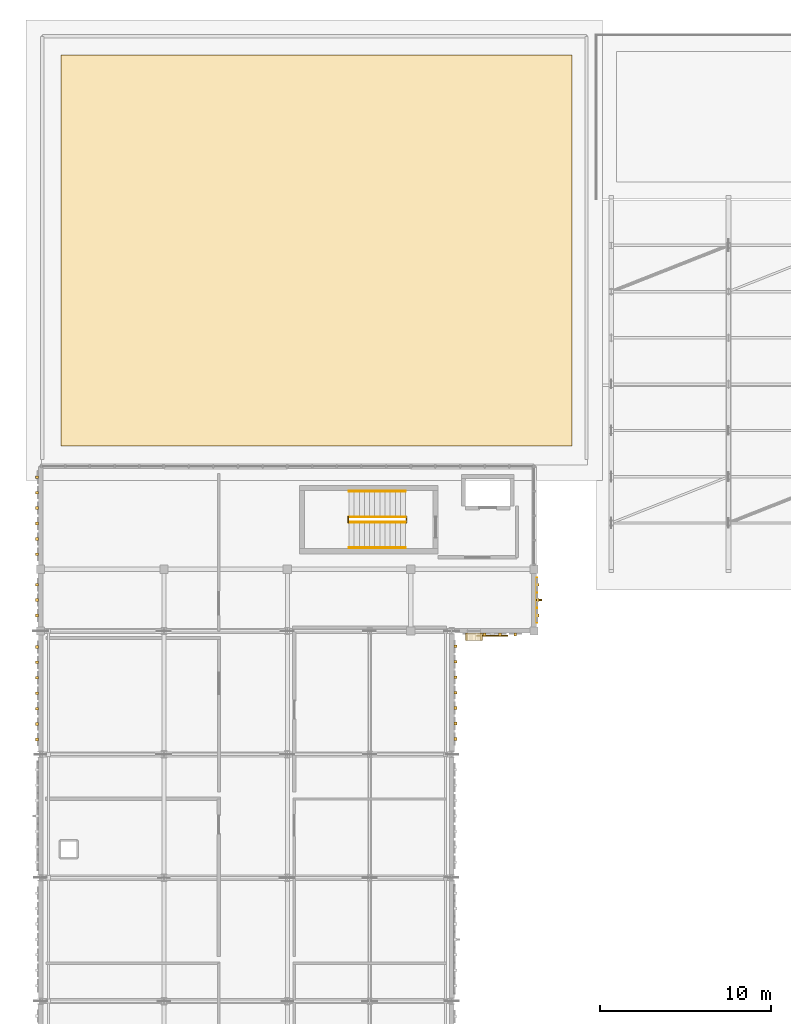
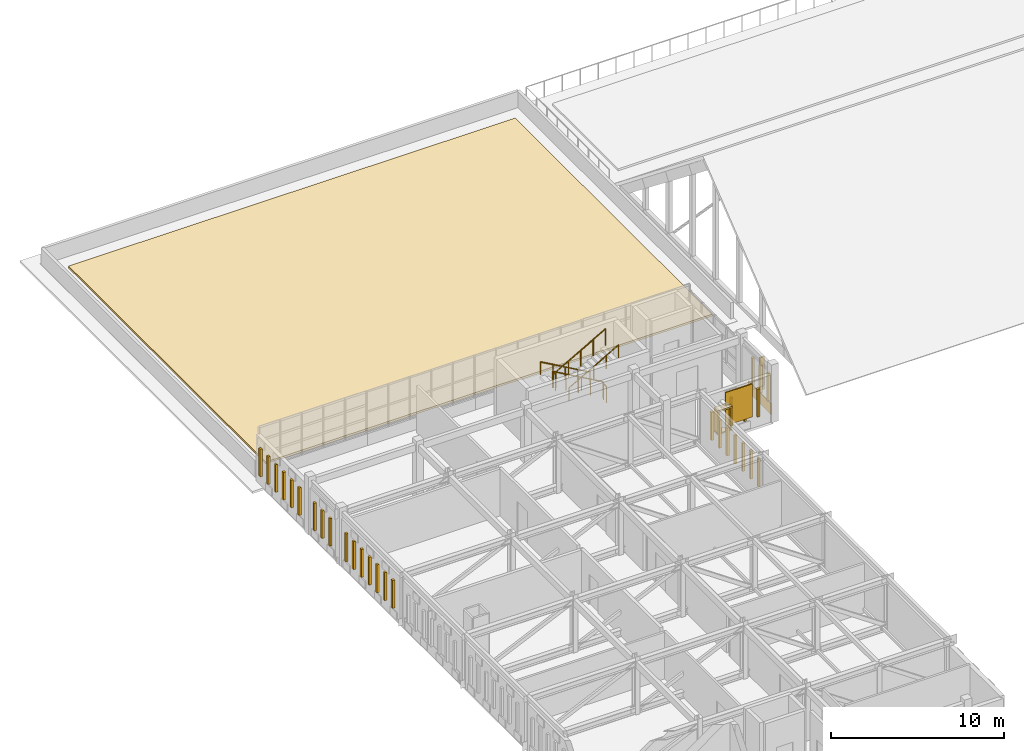
# One storey, part 67 of 79: 35 coverings, 6 railings, 2 shading devices.
"""IFC4 building model written with IfcOpenShell, lengths in metres."""

from ifc_helpers import new_model, si_unit, direction, frame, origin, origin_2d, place, context, subcontext, project, spatial, polyline, rectangle, circle, outline, extrude, material, layer, layer_set, type_object, element, save


model = new_model("IFC4")

# Units and contexts
model_context = context("Model", 3, precision=1e-05, world=origin(), true_north=direction((0.0, 1.0)))
body_context = subcontext(model_context, "Body", "Model", "MODEL_VIEW")
ifc_project = project(units=[si_unit("LENGTHUNIT", "METRE"), si_unit("AREAUNIT", "SQUARE_METRE"), si_unit("VOLUMEUNIT", "CUBIC_METRE"), si_unit("PLANEANGLEUNIT", "RADIAN"), si_unit("MASSUNIT", "GRAM", prefix="KILO")], contexts=[model_context])

# Site, building, storey
site_placement = place(None, origin())
site = spatial("IfcSite", under=ifc_project, at=site_placement, CompositionType="ELEMENT")
building_placement = place(site_placement, origin())
building = spatial("IfcBuilding", under=site, at=building_placement, Name="Nzembalo Square Collegiate School", CompositionType="ELEMENT")
storey_placement = place(building_placement, frame((0.0, 0.0, 9.52001953125)))
storey = spatial("IfcBuildingStorey", under=building, at=storey_placement, Name="L02", CompositionType="ELEMENT", Elevation=9.52001953125)

# Coverings
ifc_material_1 = material(Name="Glazed cobalt ceramic patterned tile")
ifc_layer_1 = layer(ifc_material_1, 0.074951171875, Name="Glazed cobalt ceramic patterned tile")
ifc_layer_set_1 = layer_set([ifc_layer_1], Name="Glazed cobalt ceramic patterned tile")
covering_type_1 = type_object("IfcCoveringType", Name="CL01", PredefinedType="CLADDING", material=ifc_layer_set_1)
covering_1_placement = place(storey_placement, frame((37.357421875, 81.0, 0.02001953125), z_axis=(0.0, 0.0, 1.0), x_axis=(1.0, 0.0, 0.0)))
element("IfcCovering", 1, at=covering_1_placement, inside=storey, type_object=covering_type_1, Name="Faience spandrel cladding CL01-0188", PredefinedType="CLADDING", context=body_context, shape_type="SweptSolid", body=[
    extrude(rectangle(XDim=0.034912109375, YDim=2.615966796875, at=origin_2d()), origin(), (0.0, 0.0, 1.0), 0.800048828125),
])
ifc_material_2 = material(Name="Glazed ochre ceramic lancet rib")
ifc_layer_2 = layer(ifc_material_2, 0.159912109375, Name="Glazed ochre ceramic lancet rib")
ifc_layer_set_2 = layer_set([ifc_layer_2], Name="Glazed ochre ceramic lancet rib")
covering_type_2 = type_object("IfcCoveringType", Name="CL02", PredefinedType="CLADDING", material=ifc_layer_set_2)
for number, where, z_axis, x_axis, name in (
    (2, (8.197509765625, 72.867431640625, 0.760009765625), (0.0, 0.0, 1.0), (1.0, 0.0, 0.0), "Gothic ceramic rib CL02-Y0185-0"),
    (3, (8.197509765625, 73.767578125, 0.760009765625), (0.0, 0.0, 1.0), (1.0, 0.0, 0.0), "Gothic ceramic rib CL02-Y0185-1"),
    (4, (8.197509765625, 74.66748046875, 0.760009765625), (0.0, 0.0, 1.0), (1.0, 0.0, 0.0), "Gothic ceramic rib CL02-Y0185-2"),
    (5, (8.197509765625, 75.5673828125, 0.760009765625), (0.0, 0.0, 1.0), (1.0, 0.0, 0.0), "Gothic ceramic rib CL02-Y0185-3"),
    (6, (8.197509765625, 76.467529296875, 0.760009765625), (0.0, 0.0, 1.0), (1.0, 0.0, 0.0), "Gothic ceramic rib CL02-Y0185-4"),
    (7, (8.197509765625, 77.367431640625, 0.760009765625), (0.0, 0.0, 1.0), (1.0, 0.0, 0.0), "Gothic ceramic rib CL02-Y0185-5"),
    (8, (8.197509765625, 78.267578125, 0.760009765625), (0.0, 0.0, 1.0), (1.0, 0.0, 0.0), "Gothic ceramic rib CL02-Y0185-6"),
):
    element("IfcCovering", number, at=place(storey_placement, frame(where, z_axis=z_axis, x_axis=x_axis)), inside=storey, type_object=covering_type_2, Name=name, PredefinedType="CLADDING", context=body_context, shape_type="SweptSolid", body=[
        extrude(rectangle(XDim=0.159912109375, YDim=0.159912109375, at=origin_2d()), origin(), (0.0, 0.0, 1.0), 1.97900390625),
    ])
for number, where, z_axis, x_axis, name in (
    (9, (8.1875, 80.10009765625, 0.759765625), (0.0, 0.0, 1.0), (1.0, 0.0, 0.0), "Gothic ceramic rib CL02-Y0186-0"),
    (10, (8.1875, 81.0, 0.759765625), (0.0, 0.0, 1.0), (1.0, 0.0, 0.0), "Gothic ceramic rib CL02-Y0186-1"),
    (11, (8.1875, 81.89990234375, 0.759765625), (0.0, 0.0, 1.0), (1.0, 0.0, 0.0), "Gothic ceramic rib CL02-Y0186-2"),
    (12, (8.197509765625, 83.6708984375, 0.759765625), (0.0, 0.0, 1.0), (1.0, 0.0, 0.0), "Gothic ceramic rib CL02-Y0187-0"),
    (13, (8.197509765625, 84.571044921875, 0.759765625), (0.0, 0.0, 1.0), (1.0, 0.0, 0.0), "Gothic ceramic rib CL02-Y0187-1"),
    (14, (8.197509765625, 85.470947265625, 0.759765625), (0.0, 0.0, 1.0), (1.0, 0.0, 0.0), "Gothic ceramic rib CL02-Y0187-2"),
    (15, (8.197509765625, 86.37109375, 0.759765625), (0.0, 0.0, 1.0), (1.0, 0.0, 0.0), "Gothic ceramic rib CL02-Y0187-3"),
    (16, (8.197509765625, 87.27099609375, 0.759765625), (0.0, 0.0, 1.0), (1.0, 0.0, 0.0), "Gothic ceramic rib CL02-Y0187-4"),
    (17, (8.197509765625, 88.1708984375, 0.759765625), (0.0, 0.0, 1.0), (1.0, 0.0, 0.0), "Gothic ceramic rib CL02-Y0187-5"),
    (18, (37.41259765625, 80.10009765625, 0.759765625), (0.0, 0.0, 1.0), (1.0, 0.0, 0.0), "Gothic ceramic rib CL02-Y0188-0"),
    (19, (37.41259765625, 81.0, 0.759765625), (0.0, 0.0, 1.0), (1.0, 0.0, 0.0), "Gothic ceramic rib CL02-Y0188-1"),
    (20, (37.41259765625, 81.89990234375, 0.759765625), (0.0, 0.0, 1.0), (1.0, 0.0, 0.0), "Gothic ceramic rib CL02-Y0188-2"),
):
    element("IfcCovering", number, at=place(storey_placement, frame(where, z_axis=z_axis, x_axis=x_axis)), inside=storey, type_object=covering_type_2, Name=name, PredefinedType="CLADDING", context=body_context, shape_type="SweptSolid", body=[
        extrude(rectangle(XDim=0.159912109375, YDim=0.159912109375, at=origin_2d()), origin(), (0.0, 0.0, 1.0), 1.948974609375),
    ])
for number, where, z_axis, x_axis, name in (
    (21, (34.304931640625, 78.99755859375, 0.760009765625), (0.0, 0.0, 1.0), (1.0, 0.0, 0.0), "Gothic ceramic rib CL02-X0189-1"),
    (22, (35.205078125, 78.99755859375, 0.760009765625), (0.0, 0.0, 1.0), (1.0, 0.0, 0.0), "Gothic ceramic rib CL02-X0189-2"),
    (23, (36.10498046875, 78.99755859375, 0.760009765625), (0.0, 0.0, 1.0), (1.0, 0.0, 0.0), "Gothic ceramic rib CL02-X0189-3"),
    (24, (32.612548828125, 72.89990234375, 0.760009765625), (0.0, 0.0, 1.0), (1.0, 0.0, 0.0), "Gothic ceramic rib CL02-Y0194-0"),
    (25, (32.612548828125, 73.800048828125, 0.760009765625), (0.0, 0.0, 1.0), (1.0, 0.0, 0.0), "Gothic ceramic rib CL02-Y0194-1"),
    (26, (32.612548828125, 74.699951171875, 0.760009765625), (0.0, 0.0, 1.0), (1.0, 0.0, 0.0), "Gothic ceramic rib CL02-Y0194-2"),
    (27, (32.612548828125, 75.60009765625, 0.760009765625), (0.0, 0.0, 1.0), (1.0, 0.0, 0.0), "Gothic ceramic rib CL02-Y0194-3"),
    (28, (32.612548828125, 76.5, 0.760009765625), (0.0, 0.0, 1.0), (1.0, 0.0, 0.0), "Gothic ceramic rib CL02-Y0194-4"),
    (29, (32.612548828125, 77.39990234375, 0.760009765625), (0.0, 0.0, 1.0), (1.0, 0.0, 0.0), "Gothic ceramic rib CL02-Y0194-5"),
    (30, (32.612548828125, 78.300048828125, 0.760009765625), (0.0, 0.0, 1.0), (1.0, 0.0, 0.0), "Gothic ceramic rib CL02-Y0194-6"),
):
    element("IfcCovering", number, at=place(storey_placement, frame(where, z_axis=z_axis, x_axis=x_axis)), inside=storey, type_object=covering_type_2, Name=name, PredefinedType="CLADDING", context=body_context, shape_type="SweptSolid", body=[
        extrude(rectangle(XDim=0.159912109375, YDim=0.159912109375, at=origin_2d()), origin(), (0.0, 0.0, 1.0), 1.97900390625),
    ])
ifc_material_3 = material(Name="Planted extensive green roof substrate")
ifc_layer_3 = layer(ifc_material_3, 0.139892578125, Name="Planted extensive green roof substrate")
ifc_layer_set_3 = layer_set([ifc_layer_3], Name="Planted extensive green roof substrate")
covering_type_3 = type_object("IfcCoveringType", Name="GR01", PredefinedType="ROOFING", material=ifc_layer_set_3)
covering_2_placement = place(storey_placement, origin())
element("IfcCovering", 31, at=covering_2_placement, inside=storey, type_object=covering_type_3, Name="Planted green roof bed GR01-01", PredefinedType="ROOFING", context=body_context, shape_type="SweptSolid", body=[
    extrude(outline(polyline([(9.60009765625, 90.0), (39.39990234375, 90.0), (39.39990234375, 112.800048828125), (9.60009765625, 112.800048828125), (9.60009765625, 90.0)])), origin(), (0.0, 0.0, 1.0), 0.139892578125),
])
ifc_material_4 = material(Name="Glazed celadon ceramic window frame")
ifc_layer_4 = layer(ifc_material_4, 0.419921875, Name="Glazed celadon ceramic window frame")
ifc_layer_set_4 = layer_set([ifc_layer_4], Name="Glazed celadon ceramic window frame")
covering_type_4 = type_object("IfcCoveringType", Name="WF01", PredefinedType="CLADDING", material=ifc_layer_set_4)
covering_3_placement = place(storey_placement, frame((33.68603515625, 78.862548828125, 2.2548828125), z_axis=(0.0, 0.0, 1.0), x_axis=(1.0, 0.0, 0.0)))
element("IfcCovering", 32, at=covering_3_placement, inside=storey, type_object=covering_type_4, Name="Deep lancet window hood WF01-0522", PredefinedType="CLADDING", context=body_context, shape_type="SweptSolid", body=[
    extrude(rectangle(XDim=0.989990234375, YDim=0.419921875, at=origin_2d()), origin(), (0.0, 0.0, 1.0), 0.110107421875),
])
covering_4_placement = place(storey_placement, frame((33.68603515625, 78.862548828125, 0.65478515625), z_axis=(0.0, 0.0, 1.0), x_axis=(1.0, 0.0, 0.0)))
element("IfcCovering", 33, at=covering_4_placement, inside=storey, type_object=covering_type_4, Name="Deep lancet window sill WF01-0522", PredefinedType="CLADDING", context=body_context, shape_type="SweptSolid", body=[
    extrude(rectangle(XDim=0.989990234375, YDim=0.419921875, at=origin_2d()), origin(), (0.0, 0.0, 1.0), 0.090087890625),
])
for number, where, z_axis, x_axis, name in (
    (34, (33.256103515625, 78.862548828125, 0.75), (0.0, 0.0, 1.0), (1.0, 0.0, 0.0), "Deep lancet window jamb WF01-0522L"),
    (35, (34.115966796875, 78.862548828125, 0.75), (0.0, 0.0, 1.0), (1.0, 0.0, 0.0), "Deep lancet window jamb WF01-0522R"),
):
    element("IfcCovering", number, at=place(storey_placement, frame(where, z_axis=z_axis, x_axis=x_axis)), inside=storey, type_object=covering_type_4, Name=name, PredefinedType="CLADDING", context=body_context, shape_type="SweptSolid", body=[
        extrude(rectangle(XDim=0.10009765625, YDim=0.419921875, at=origin_2d()), origin(), (0.0, 0.0, 1.0), 1.5),
    ])

# Railings
ifc_material_5 = material(Name="Steel S355", Category="steel")
railing_type_1 = type_object("IfcRailingType", Name="GR01", PredefinedType="GUARDRAIL", material=ifc_material_5)
railing_1_placement = place(storey_placement, frame((29.699951171875, 85.85009765625, 0.159912109375)))
element("IfcRailing", 36, at=railing_1_placement, inside=storey, type_object=railing_type_1, Name="Stair guard GR-08-1", PredefinedType="GUARDRAIL", context=body_context, shape_type="SweptSolid", body=[
    extrude(circle(Radius=0.02392578125, at=origin_2d()), frame((0.0, 0.0, 1.1259765625), z_axis=(-0.870012062771, 0.0, 0.493030435808), x_axis=(0.0, -1.0, 0.0)), (0.0, 0.0, 1.0), 3.793212890625),
    extrude(circle(Radius=0.02099609375, at=origin_2d()), origin(), (0.0, 0.0, 1.0), 1.101806640625),
    extrude(circle(Radius=0.02099609375, at=origin_2d()), frame((-0.824951171875, 0.0, 0.467529296875)), (0.0, 0.0, 1.0), 1.101806640625),
    extrude(circle(Radius=0.02099609375, at=origin_2d()), frame((-1.64990234375, 0.0, 0.93505859375)), (0.0, 0.0, 1.0), 1.101806640625),
    extrude(circle(Radius=0.02099609375, at=origin_2d()), frame((-2.47509765625, 0.0, 1.402587890625)), (0.0, 0.0, 1.0), 1.101806640625),
    extrude(circle(Radius=0.02099609375, at=origin_2d()), frame((-3.300048828125, 0.0, 1.8701171875)), (0.0, 0.0, 1.0), 1.101806640625),
])
railing_2_placement = place(storey_placement, frame((26.35009765625, 85.52001953125, 2.034912109375)))
element("IfcRailing", 37, at=railing_2_placement, inside=storey, type_object=railing_type_1, Name="Stair guard GR-08-2", PredefinedType="GUARDRAIL", context=body_context, shape_type="SweptSolid", body=[
    extrude(circle(Radius=0.02392578125, at=origin_2d()), frame((0.0, 0.0, 1.1259765625), z_axis=(0.0, 1.0, 0.0), x_axis=(-1.0, 0.0, 0.0)), (0.0, 0.0, 1.0), 0.35986328125),
    extrude(circle(Radius=0.02099609375, at=origin_2d()), origin(), (0.0, 0.0, 1.0), 1.101806640625),
    extrude(circle(Radius=0.02099609375, at=origin_2d()), frame((0.0, 0.35986328125, 0.0)), (0.0, 0.0, 1.0), 1.101806640625),
])
railing_3_placement = place(storey_placement, frame((26.39990234375, 85.550048828125, 2.199951171875)))
element("IfcRailing", 38, at=railing_3_placement, inside=storey, type_object=railing_type_1, Name="Stair guard GR-08-3", PredefinedType="GUARDRAIL", context=body_context, shape_type="SweptSolid", body=[
    extrude(circle(Radius=0.02392578125, at=origin_2d()), frame((0.0, 0.0, 1.1259765625), z_axis=(0.870012062771, 0.0, 0.493030435808), x_axis=(0.0, 1.0, 0.0)), (0.0, 0.0, 1.0), 3.793212890625),
    extrude(circle(Radius=0.02099609375, at=origin_2d()), origin(), (0.0, 0.0, 1.0), 1.101806640625),
    extrude(circle(Radius=0.02099609375, at=origin_2d()), frame((0.824951171875, 0.0, 0.467529296875)), (0.0, 0.0, 1.0), 1.101806640625),
    extrude(circle(Radius=0.02099609375, at=origin_2d()), frame((1.64990234375, 0.0, 0.93505859375)), (0.0, 0.0, 1.0), 1.101806640625),
    extrude(circle(Radius=0.02099609375, at=origin_2d()), frame((2.47509765625, 0.0, 1.402587890625)), (0.0, 0.0, 1.0), 1.101806640625),
    extrude(circle(Radius=0.02099609375, at=origin_2d()), frame((3.300048828125, 0.0, 1.8701171875)), (0.0, 0.0, 1.0), 1.101806640625),
])
railing_4_placement = place(storey_placement, frame((29.75, 85.52001953125, -0.005126953125)))
element("IfcRailing", 39, at=railing_4_placement, inside=storey, type_object=railing_type_1, Name="Stair guard GR-08-4", PredefinedType="GUARDRAIL", context=body_context, shape_type="SweptSolid", body=[
    extrude(circle(Radius=0.02392578125, at=origin_2d()), frame((0.0, 0.0, 1.1259765625), z_axis=(0.0, 1.0, 0.0), x_axis=(-1.0, 0.0, 0.0)), (0.0, 0.0, 1.0), 0.35986328125),
    extrude(circle(Radius=0.02099609375, at=origin_2d()), origin(), (0.0, 0.0, 1.0), 1.101806640625),
    extrude(circle(Radius=0.02099609375, at=origin_2d()), frame((0.0, 0.35986328125, 0.0)), (0.0, 0.0, 1.0), 1.101806640625),
])
ifc_material_6 = material(Name="Steel S355", Category="steel")
railing_type_2 = type_object("IfcRailingType", Name="HR01", PredefinedType="HANDRAIL", material=ifc_material_6)
railing_5_placement = place(storey_placement, frame((29.699951171875, 87.35009765625, 0.159912109375)))
element("IfcRailing", 40, at=railing_5_placement, inside=storey, type_object=railing_type_2, Name="Stair handrail HR-08-1", PredefinedType="HANDRAIL", context=body_context, shape_type="SweptSolid", body=[
    extrude(circle(Radius=0.02392578125, at=origin_2d()), frame((0.0, 0.0, 0.89599609375), z_axis=(-0.870012062771, 0.0, 0.493030435808), x_axis=(0.0, -1.0, 0.0)), (0.0, 0.0, 1.0), 3.793212890625),
    extrude(circle(Radius=0.02099609375, at=origin_2d()), origin(), (0.0, 0.0, 1.0), 0.871826171875),
    extrude(circle(Radius=0.02099609375, at=origin_2d()), frame((-0.824951171875, 0.0, 0.467529296875)), (0.0, 0.0, 1.0), 0.871826171875),
    extrude(circle(Radius=0.02099609375, at=origin_2d()), frame((-1.64990234375, 0.0, 0.93505859375)), (0.0, 0.0, 1.0), 0.871826171875),
    extrude(circle(Radius=0.02099609375, at=origin_2d()), frame((-2.47509765625, 0.0, 1.402587890625)), (0.0, 0.0, 1.0), 0.871826171875),
    extrude(circle(Radius=0.02099609375, at=origin_2d()), frame((-3.300048828125, 0.0, 1.8701171875)), (0.0, 0.0, 1.0), 0.871826171875),
])
railing_6_placement = place(storey_placement, frame((26.39990234375, 84.050048828125, 2.199951171875)))
element("IfcRailing", 41, at=railing_6_placement, inside=storey, type_object=railing_type_2, Name="Stair handrail HR-08-2", PredefinedType="HANDRAIL", context=body_context, shape_type="SweptSolid", body=[
    extrude(circle(Radius=0.02392578125, at=origin_2d()), frame((0.0, 0.0, 0.89599609375), z_axis=(0.870012062771, 0.0, 0.493030435808), x_axis=(0.0, 1.0, 0.0)), (0.0, 0.0, 1.0), 3.793212890625),
    extrude(circle(Radius=0.02099609375, at=origin_2d()), origin(), (0.0, 0.0, 1.0), 0.871826171875),
    extrude(circle(Radius=0.02099609375, at=origin_2d()), frame((0.824951171875, 0.0, 0.467529296875)), (0.0, 0.0, 1.0), 0.871826171875),
    extrude(circle(Radius=0.02099609375, at=origin_2d()), frame((1.64990234375, 0.0, 0.93505859375)), (0.0, 0.0, 1.0), 0.871826171875),
    extrude(circle(Radius=0.02099609375, at=origin_2d()), frame((2.47509765625, 0.0, 1.402587890625)), (0.0, 0.0, 1.0), 0.871826171875),
    extrude(circle(Radius=0.02099609375, at=origin_2d()), frame((3.300048828125, 0.0, 1.8701171875)), (0.0, 0.0, 1.0), 0.871826171875),
])

# Shading devices
ifc_material_7 = material(Name="Glazed ochre ceramic vertical fin")
shading_device_type_1 = type_object("IfcShadingDeviceType", Name="JL01", PredefinedType="JALOUSIE", material=ifc_material_7)
shading_device_1_placement = place(storey_placement, frame((37.49755859375, 81.0, 0.94970703125), z_axis=(0.0, 0.0, 1.0), x_axis=(1.0, 0.0, 0.0)))
element("IfcShadingDevice", 42, at=shading_device_1_placement, inside=storey, type_object=shading_device_type_1, Name="Ceramic fin JL01-0188", PredefinedType="JALOUSIE", context=body_context, shape_type="SweptSolid", body=[
    extrude(rectangle(XDim=0.320068359375, YDim=0.090087890625, at=origin_2d()), origin(), (0.0, 0.0, 1.0), 2.299072265625),
])
ifc_material_8 = material(Name="Glazed celadon ceramic lancet screen")
ifc_layer_5 = layer(ifc_material_8, 0.080078125, Name="Glazed celadon ceramic lancet screen")
ifc_layer_set_5 = layer_set([ifc_layer_5], Name="Glazed celadon ceramic lancet screen")
shading_device_type_2 = type_object("IfcShadingDeviceType", Name="SC02", PredefinedType="USERDEFINED", material=ifc_layer_set_5)
shading_device_2_placement = place(storey_placement, frame((34.7548828125, 78.91748046875, 0.949951171875), z_axis=(0.0, 0.0, 1.0), x_axis=(1.0, 0.0, 0.0)))
element("IfcShadingDevice", 43, at=shading_device_2_placement, inside=storey, type_object=shading_device_type_2, Name="Ceramic lancet screen SC02-012", ObjectType="SCREEN", PredefinedType="USERDEFINED", context=body_context, shape_type="SweptSolid", body=[
    extrude(rectangle(XDim=1.800048828125, YDim=0.080078125, at=origin_2d()), origin(), (0.0, 0.0, 1.0), 2.3291015625),
])

save(model, "model.ifc")
